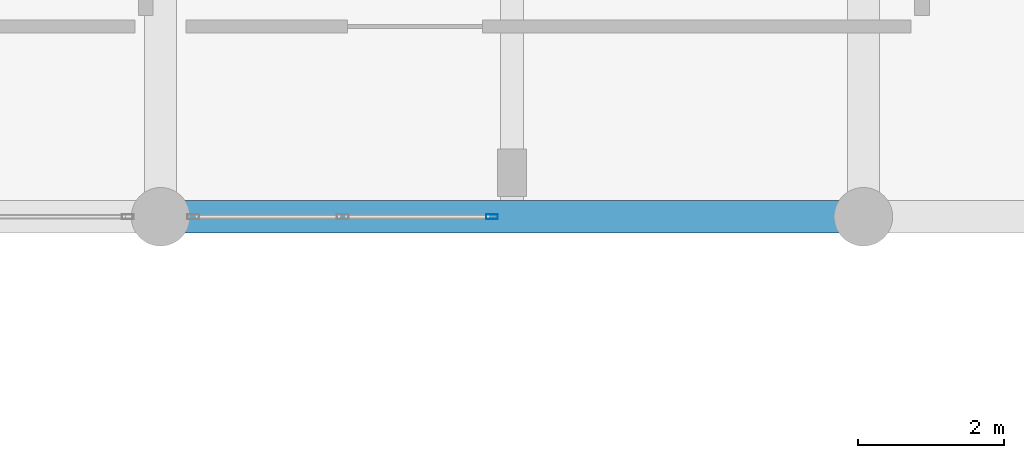
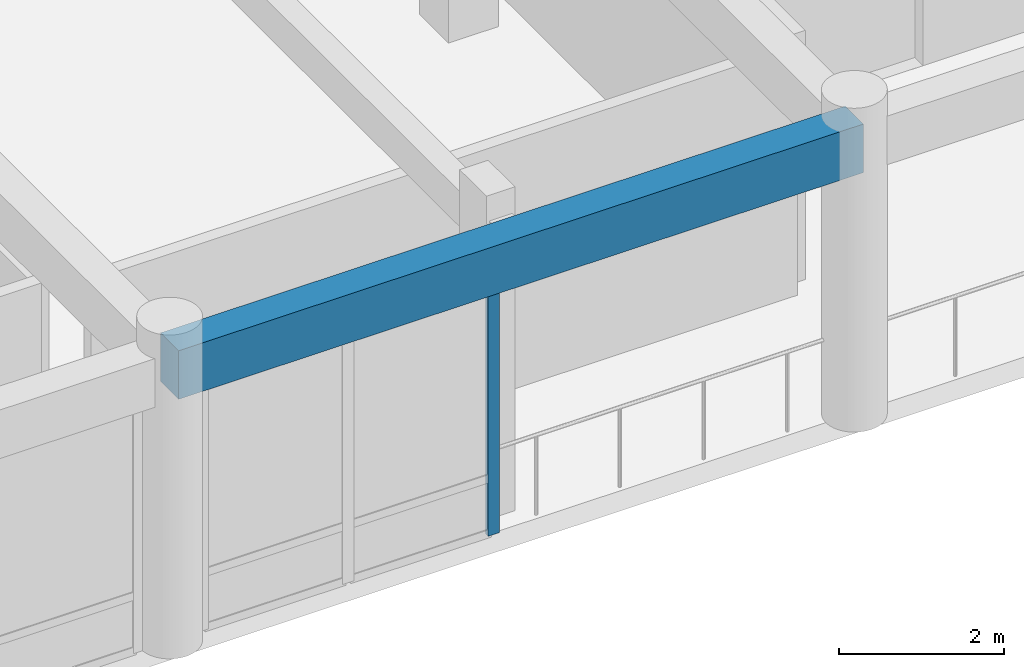
# One storey, part 40 of 133: 1 beam, 1 member, 1 element without a shape of its own.
"""IFC4 building model written with IfcOpenShell, lengths in metres."""

from ifc_helpers import new_model, si_unit, direction, frame, origin, origin_2d, place, context, subcontext, project, spatial, rectangle, hollow_rectangle, extrude, material, layer, layer_set, material_profile, profile_set, type_object, element, aggregate, save


model = new_model("IFC4")

# Units and contexts
model_context = context("Model", 3, precision=1e-05, world=origin(), true_north=direction((0.0, 1.0)))
body_context = subcontext(model_context, "Body", "Model", "MODEL_VIEW")
ifc_project = project(units=[si_unit("LENGTHUNIT", "METRE"), si_unit("AREAUNIT", "SQUARE_METRE"), si_unit("VOLUMEUNIT", "CUBIC_METRE"), si_unit("PLANEANGLEUNIT", "RADIAN"), si_unit("MASSUNIT", "GRAM", prefix="KILO")], contexts=[model_context])

# Site, building, storey
site_placement = place(None, origin())
site = spatial("IfcSite", under=ifc_project, at=site_placement, CompositionType="ELEMENT")
building_placement = place(site_placement, origin())
building = spatial("IfcBuilding", under=site, at=building_placement, Name="Nakhvara Creek Congress Hotel", CompositionType="ELEMENT")
storey_placement = place(building_placement, frame((0.0, 0.0, 11.39990234375)))
storey = spatial("IfcBuildingStorey", under=building, at=storey_placement, Name="L02", CompositionType="ELEMENT", Elevation=11.39990234375)

# Beam
ifc_material_1 = material(Name="Concrete C40/50", Category="concrete")
ifc_material_profile_1 = material_profile(ifc_material_1, rectangle(XDim=0.43994140625, YDim=0.719970703125, at=origin_2d()), Name="RC-BM 440x720", Category="LoadBearing")
ifc_profile_set_1 = profile_set([ifc_material_profile_1], Name="Concrete C40/50")
beam_type = type_object("IfcBeamType", Name="BM-RC-440X720", PredefinedType="BEAM", material=ifc_profile_set_1)
beam_placement = place(storey_placement, frame((105.60009765625, 76.800048828125, 4.06005859375), z_axis=(1.0, 0.0, 0.0), x_axis=(0.0, 1.0, 0.0)))
element("IfcBeam", 1, at=beam_placement, inside=storey, type_object=beam_type, Name="Beam B12-L02-1501", PredefinedType="BEAM", context=body_context, shape_type="SweptSolid", body=[
    extrude(rectangle(XDim=0.43994140625, YDim=0.719970703125, at=origin_2d()), origin(), (0.0, 0.0, 1.0), 9.599853515625),
])

# Curtain wall, member
ifc_material_2 = material(Name="Bronze-anodised aluminium AW-6063-T6 and double-silver low-E glass", Category="aluminium")
ifc_layer = layer(ifc_material_2, 0.199951171875)
ifc_layer_set = layer_set([ifc_layer], Name="Bronze-anodised aluminium AW-6063-T6 and double-silver low-E glass")
curtain_wall_type = type_object("IfcCurtainWallType", Name="CW-POD-STICK", PredefinedType="NOTDEFINED", material=ifc_layer_set)
curtain_wall_placement = place(storey_placement, origin())
curtain_wall = element("IfcCurtainWall", 2, at=curtain_wall_placement, inside=storey, type_object=curtain_wall_type, Name="Curtain Wall CW040", PredefinedType="NOTDEFINED")
ifc_material_3 = material(Name="Bronze-anodised aluminium AW-6063-T6", Category="aluminium")
ifc_material_profile_2 = material_profile(ifc_material_3, hollow_rectangle(XDim=0.06494140625, YDim=0.159912109375, WallThickness=0.00390625, at=origin_2d()), Name="ALU-MULL 65x160x4", Category="LoadBearing")
ifc_profile_set_2 = profile_set([ifc_material_profile_2], Name="Bronze-anodised aluminium AW-6063-T6")
member_type = type_object("IfcMemberType", Name="CW-MULL-160", PredefinedType="MULLION", material=ifc_profile_set_2)
member_placement = place(storey_placement, frame((110.12744140625, 76.800048828125, 0.0), z_axis=(0.0, 0.0, 1.0), x_axis=(0.0, -1.0, 0.0)))
member = element("IfcMember", 3, at=member_placement, type_object=member_type, Name="CW040 mullion 1", PredefinedType="MULLION", context=body_context, shape_type="SweptSolid", body=[
    extrude(hollow_rectangle(XDim=0.06494140625, YDim=0.159912109375, WallThickness=0.00390625, at=origin_2d()), origin(), (0.0, 0.0, 1.0), 3.692138671875),
])
aggregate(curtain_wall, [member])

save(model, "model.ifc")
